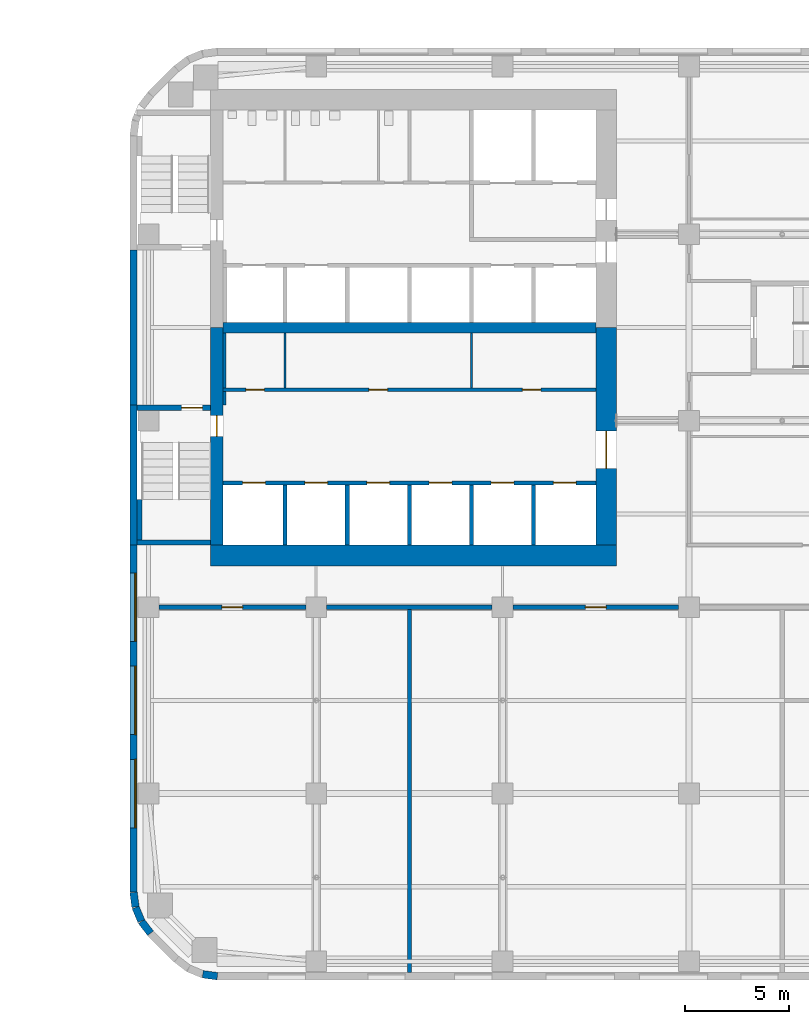
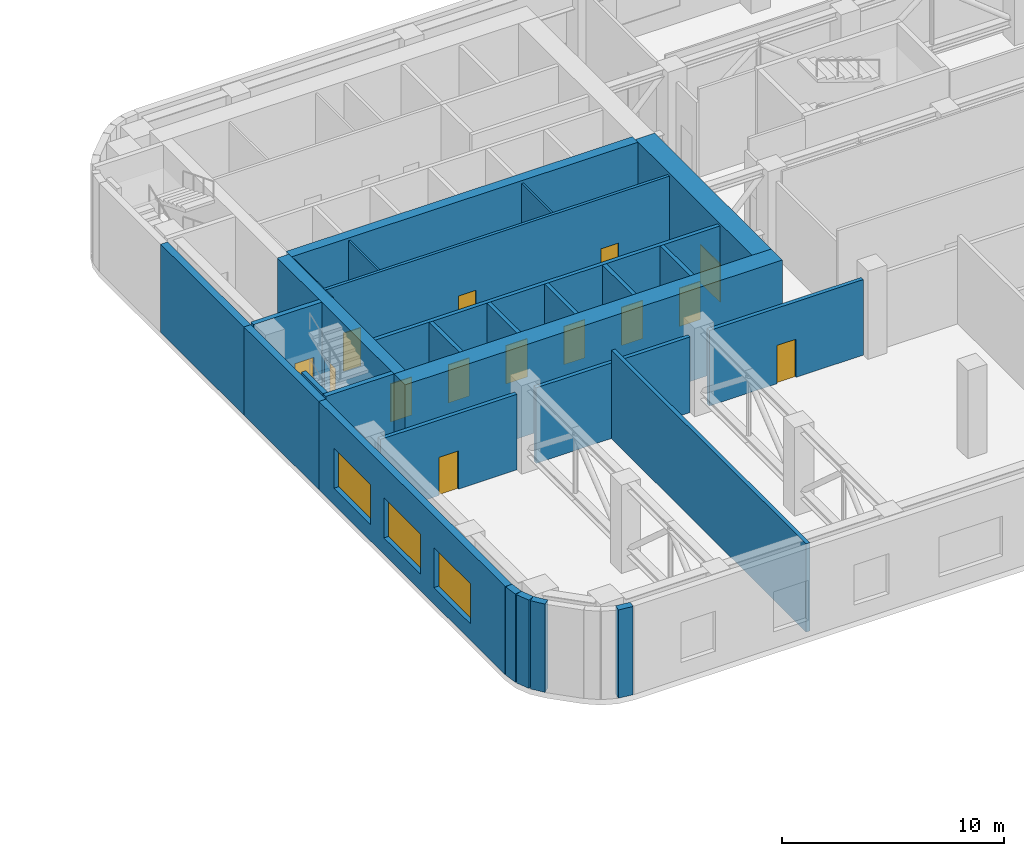
# One storey, part 15 of 23: 29 walls, 14 doors, 3 windows, 17 openings.
"""IFC4 building model written with IfcOpenShell, lengths in metres."""

from ifc_helpers import new_model, si_unit, direction, frame, frame_2d, origin, place, context, subcontext, project, spatial, rectangle, extrude, material, layer, layer_set, type_object, element, fill, save


model = new_model("IFC4")

# Units and contexts
model_context = context("Model", 3, precision=1e-05, world=origin(), true_north=direction((0.0, 1.0)))
body_context = subcontext(model_context, "Body", "Model", "MODEL_VIEW")
ifc_project = project(units=[si_unit("LENGTHUNIT", "METRE"), si_unit("AREAUNIT", "SQUARE_METRE"), si_unit("VOLUMEUNIT", "CUBIC_METRE"), si_unit("PLANEANGLEUNIT", "RADIAN"), si_unit("MASSUNIT", "GRAM", prefix="KILO")], contexts=[model_context])

# Site, building, storey
site_placement = place(None, origin())
site = spatial("IfcSite", under=ifc_project, at=site_placement, CompositionType="ELEMENT")
building_placement = place(site_placement, origin())
building = spatial("IfcBuilding", under=site, at=building_placement, Name="Cinnabar Reach Civic Tower", CompositionType="ELEMENT")
storey_placement = place(building_placement, frame((0.0, 0.0, 46.0)))
storey = spatial("IfcBuildingStorey", under=building, at=storey_placement, Name="L10", CompositionType="ELEMENT", Elevation=46.0)

# Walls
ifc_material_1 = material(Name="Facing brick with insulated backing", Category="masonry")
ifc_layer_1 = layer(ifc_material_1, 0.36)
ifc_layer_set_1 = layer_set([ifc_layer_1], Name="Brick corner wall")
wall_type_1 = type_object("IfcWallType", Name="Brick corner wall", PredefinedType="STANDARD", material=ifc_layer_set_1)
for number, where, z_axis, x_axis, name in (
    (1, (0.183, 4.2314, 0.0), (0.0, 0.0, 1.0), (0.13055608231, -0.99144092581, 0.0), "Brick corner wall"),
    (2, (0.2819, 3.5027, 0.0), (0.0, 0.0, 1.0), (0.382702709855, -0.923871547278, 0.0), "Brick corner wall"),
):
    element("IfcWall", number, at=place(storey_placement, frame(where, z_axis=z_axis, x_axis=x_axis)), inside=storey, type_object=wall_type_1, Name=name, PredefinedType="STANDARD", context=body_context, shape_type="SweptSolid", body=[
        extrude(rectangle(XDim=0.7131, YDim=0.36, at=frame_2d((0.3565, 0.0))), origin(), (0.0, 0.0, 1.0), 4.85),
    ])
wall_1_placement = place(storey_placement, frame((0.566, 2.8245, 0.0), z_axis=(0.0, 0.0, 1.0), x_axis=(0.608802368033, -0.793321924995, 0.0)))
element("IfcWall", 3, at=wall_1_placement, inside=storey, type_object=wall_type_1, Name="Brick corner wall", PredefinedType="STANDARD", context=body_context, shape_type="SweptSolid", body=[
    extrude(rectangle(XDim=0.7132, YDim=0.36, at=frame_2d((0.3566, 0.0))), origin(), (0.0, 0.0, 1.0), 4.85),
])
wall_2_placement = place(storey_placement, frame((3.5244, 0.2761, 0.0), z_axis=(0.0, 0.0, 1.0), x_axis=(0.99144092581, -0.13055608231, 0.0)))
element("IfcWall", 4, at=wall_2_placement, inside=storey, type_object=wall_type_1, Name="Brick corner wall", PredefinedType="STANDARD", context=body_context, shape_type="SweptSolid", body=[
    extrude(rectangle(XDim=0.7131, YDim=0.36, at=frame_2d((0.3565, 0.0))), origin(), (0.0, 0.0, 1.0), 4.85),
])
ifc_layer_2 = layer(ifc_material_1, 0.36)
ifc_layer_set_2 = layer_set([ifc_layer_2], Name="Brick pier and spandrel wall")
wall_type_2 = type_object("IfcWallType", Name="Brick pier and spandrel wall", PredefinedType="STANDARD", material=ifc_layer_set_2)
wall_3_placement = place(storey_placement, frame((0.18, 35.25, 0.0), z_axis=(0.0, 0.0, 1.0), x_axis=(0.0, -1.0, 0.0)))
element("IfcWall", 5, at=wall_3_placement, inside=storey, type_object=wall_type_2, Name="Brick facade wall", PredefinedType="STANDARD", context=body_context, shape_type="SweptSolid", body=[
    extrude(rectangle(XDim=7.5, YDim=0.36, at=frame_2d((3.75, 0.0))), origin(), (0.0, 0.0, 1.0), 4.85),
])
wall_4_placement = place(storey_placement, frame((0.18, 27.75, 0.0), z_axis=(0.0, 0.0, 1.0), x_axis=(0.0, -1.0, 0.0)))
element("IfcWall", 6, at=wall_4_placement, inside=storey, type_object=wall_type_2, Name="Brick facade wall", PredefinedType="STANDARD", context=body_context, shape_type="SweptSolid", body=[
    extrude(rectangle(XDim=6.75, YDim=0.36, at=frame_2d((3.375, 0.0))), origin(), (0.0, 0.0, 1.0), 4.85),
])

# Wall, openings, windows
wall_5_placement = place(storey_placement, frame((0.18, 21.0, 0.0), z_axis=(0.0, 0.0, 1.0), x_axis=(0.0, -1.0, 0.0)))
wall_5 = element("IfcWall", 7, at=wall_5_placement, inside=storey, type_object=wall_type_2, Name="Brick facade wall", PredefinedType="STANDARD", context=body_context, shape_type="SweptSolid", body=[
    extrude(rectangle(XDim=16.7574, YDim=0.36, at=frame_2d((8.3787, 0.0))), origin(), (0.0, 0.0, 1.0), 4.85),
])
opening_1_placement = place(wall_5_placement, frame((1.35, 0.0, 0.9)))
opening_1 = element("IfcOpeningElement", 8, at=opening_1_placement, cuts=wall_5, Name="Opening W1156", PredefinedType="OPENING", context=body_context, shape_type="SweptSolid", body=[
    extrude(rectangle(XDim=3.3, YDim=2.2, at=frame_2d((1.65, 1.1))), frame((0.0, 0.19, 0.0), z_axis=(0.0, -1.0, 0.0), x_axis=(1.0, 0.0, 0.0)), (0.0, 0.0, 1.0), 0.38),
])
opening_2_placement = place(wall_5_placement, frame((5.85, 0.0, 0.9)))
opening_2 = element("IfcOpeningElement", 9, at=opening_2_placement, cuts=wall_5, Name="Opening W1157", PredefinedType="OPENING", context=body_context, shape_type="SweptSolid", body=[
    extrude(rectangle(XDim=3.3, YDim=2.2, at=frame_2d((1.65, 1.1))), frame((0.0, 0.19, 0.0), z_axis=(0.0, -1.0, 0.0), x_axis=(1.0, 0.0, 0.0)), (0.0, 0.0, 1.0), 0.38),
])
opening_3_placement = place(wall_5_placement, frame((10.35, 0.0, 0.9)))
opening_3 = element("IfcOpeningElement", 10, at=opening_3_placement, cuts=wall_5, Name="Opening W1158", PredefinedType="OPENING", context=body_context, shape_type="SweptSolid", body=[
    extrude(rectangle(XDim=3.3, YDim=2.2, at=frame_2d((1.65, 1.1))), frame((0.0, 0.19, 0.0), z_axis=(0.0, -1.0, 0.0), x_axis=(1.0, 0.0, 0.0)), (0.0, 0.0, 1.0), 0.38),
])
ifc_material_2 = material(Name="Clear double glazing in aluminium frame", Category="aluminium")
window_type = type_object("IfcWindowType", Name="Deep-set window B", PartitioningType="SINGLE_PANEL", PredefinedType="WINDOW", material=ifc_material_2)
window_1_placement = place(opening_1_placement, origin())
window_1 = element("IfcWindow", 11, at=window_1_placement, inside=storey, type_object=window_type, Name="Window west face", OverallHeight=2.2, OverallWidth=3.3, PartitioningType="SINGLE_PANEL", PredefinedType="WINDOW", context=body_context, shape_type="SweptSolid", body=[
    extrude(rectangle(XDim=3.3, YDim=2.2, at=frame_2d((1.65, 1.1))), frame((0.0, 0.13, 0.0), z_axis=(0.0, -1.0, 0.0), x_axis=(1.0, 0.0, 0.0)), (0.0, 0.0, 1.0), 0.06),
])
fill(opening_1, window_1)
window_2_placement = place(opening_2_placement, origin())
window_2 = element("IfcWindow", 12, at=window_2_placement, inside=storey, type_object=window_type, Name="Window west face", OverallHeight=2.2, OverallWidth=3.3, PartitioningType="SINGLE_PANEL", PredefinedType="WINDOW", context=body_context, shape_type="SweptSolid", body=[
    extrude(rectangle(XDim=3.3, YDim=2.2, at=frame_2d((1.65, 1.1))), frame((0.0, 0.13, 0.0), z_axis=(0.0, -1.0, 0.0), x_axis=(1.0, 0.0, 0.0)), (0.0, 0.0, 1.0), 0.06),
])
fill(opening_2, window_2)
window_3_placement = place(opening_3_placement, origin())
window_3 = element("IfcWindow", 13, at=window_3_placement, inside=storey, type_object=window_type, Name="Window west face", OverallHeight=2.2, OverallWidth=3.3, PartitioningType="SINGLE_PANEL", PredefinedType="WINDOW", context=body_context, shape_type="SweptSolid", body=[
    extrude(rectangle(XDim=3.3, YDim=2.2, at=frame_2d((1.65, 1.1))), frame((0.0, 0.13, 0.0), z_axis=(0.0, -1.0, 0.0), x_axis=(1.0, 0.0, 0.0)), (0.0, 0.0, 1.0), 0.06),
])
fill(opening_3, window_3)

# Wall
ifc_material_3 = material(Name="Concrete C70", Category="concrete")
ifc_layer_3 = layer(ifc_material_3, 1.0)
ifc_layer_set_3 = layer_set([ifc_layer_3], Name="Core wall 1000 EI 180")
wall_type_3 = type_object("IfcWallType", Name="Core wall 1000 EI 180", PredefinedType="SOLIDWALL", material=ifc_layer_set_3)
wall_6_placement = place(storey_placement, frame((3.9, 20.5, 0.0), z_axis=(0.0, 0.0, 1.0), x_axis=(1.0, 0.0, 0.0)))
element("IfcWall", 14, at=wall_6_placement, inside=storey, type_object=wall_type_3, Name="Core wall T1 L10 S", PredefinedType="SOLIDWALL", context=body_context, shape_type="SweptSolid", body=[
    extrude(rectangle(XDim=19.6, YDim=1.0, at=frame_2d((9.8, 0.0))), origin(), (0.0, 0.0, 1.0), 5.0),
])

# Wall, opening, door
wall_7_placement = place(storey_placement, frame((23.0, 21.0, 0.0), z_axis=(0.0, 0.0, 1.0), x_axis=(0.0, 1.0, 0.0)))
wall_7 = element("IfcWall", 15, at=wall_7_placement, inside=storey, type_object=wall_type_3, Name="Core wall T1 L10 E", PredefinedType="SOLIDWALL", context=body_context, shape_type="SweptSolid", body=[
    extrude(rectangle(XDim=10.5, YDim=1.0, at=frame_2d((5.25, 0.0))), origin(), (0.0, 0.0, 1.0), 5.0),
])
opening_4_placement = place(wall_7_placement, frame((3.7, 0.0, 0.0)))
opening_4 = element("IfcOpeningElement", 16, at=opening_4_placement, cuts=wall_7, Name="Opening D3409", PredefinedType="OPENING", context=body_context, shape_type="SweptSolid", body=[
    extrude(rectangle(XDim=1.8, YDim=2.1, at=frame_2d((0.9, 1.05))), frame((0.0, 0.51, 0.0), z_axis=(0.0, -1.0, 0.0), x_axis=(1.0, 0.0, 0.0)), (0.0, 0.0, 1.0), 1.02),
])
ifc_material_4 = material(Name="Timber door leaf in steel frame", Category="steel")
door_type_1 = type_object("IfcDoorType", Name="Double swing door 1800 x 2100 T1", OperationType="DOUBLE_DOOR_DOUBLE_SWING", PredefinedType="DOOR", material=ifc_material_4)
door_1_placement = place(opening_4_placement, origin())
door_1 = element("IfcDoor", 17, at=door_1_placement, inside=storey, type_object=door_type_1, Name="Door D3409", OperationType="DOUBLE_DOOR_DOUBLE_SWING", OverallHeight=2.1, OverallWidth=1.8, PredefinedType="DOOR", context=body_context, shape_type="SweptSolid", body=[
    extrude(rectangle(XDim=1.8, YDim=2.1, at=frame_2d((0.9, 1.05))), frame((0.0, 0.025, 0.0), z_axis=(0.0, -1.0, 0.0), x_axis=(1.0, 0.0, 0.0)), (0.0, 0.0, 1.0), 0.05),
])
fill(opening_4, door_1)

# Wall
ifc_material_5 = material(Name="Concrete C60", Category="concrete")
ifc_layer_4 = layer(ifc_material_5, 0.5)
ifc_layer_set_4 = layer_set([ifc_layer_4], Name="Core wall 500 EI 180")
wall_type_4 = type_object("IfcWallType", Name="Core wall 500 EI 180", PredefinedType="SOLIDWALL", material=ifc_layer_set_4)
wall_8_placement = place(storey_placement, frame((4.5, 31.5, 0.0), z_axis=(0.0, 0.0, 1.0), x_axis=(1.0, 0.0, 0.0)))
element("IfcWall", 18, at=wall_8_placement, inside=storey, type_object=wall_type_4, Name="Core spine wall T1 L10", PredefinedType="SOLIDWALL", context=body_context, shape_type="SweptSolid", body=[
    extrude(rectangle(XDim=18.0, YDim=0.5, at=frame_2d((9.0, 0.0))), origin(), (0.0, 0.0, 1.0), 5.0),
])

# Wall, opening, door
ifc_layer_5 = layer(ifc_material_3, 0.6)
ifc_layer_set_5 = layer_set([ifc_layer_5], Name="Core wall 600 EI 180")
wall_type_5 = type_object("IfcWallType", Name="Core wall 600 EI 180", PredefinedType="SOLIDWALL", material=ifc_layer_set_5)
wall_9_placement = place(storey_placement, frame((4.2, 31.5, 0.0), z_axis=(0.0, 0.0, 1.0), x_axis=(0.0, -1.0, 0.0)))
wall_9 = element("IfcWall", 19, at=wall_9_placement, inside=storey, type_object=wall_type_5, Name="Core wall T1 L10 W2", PredefinedType="SOLIDWALL", context=body_context, shape_type="SweptSolid", body=[
    extrude(rectangle(XDim=10.5, YDim=0.6, at=frame_2d((5.25, 0.0))), origin(), (0.0, 0.0, 1.0), 5.0),
])
opening_5_placement = place(wall_9_placement, frame((4.25, 0.0, 0.0)))
opening_5 = element("IfcOpeningElement", 20, at=opening_5_placement, cuts=wall_9, Name="Opening D3393", PredefinedType="OPENING", context=body_context, shape_type="SweptSolid", body=[
    extrude(rectangle(XDim=1.0, YDim=2.1, at=frame_2d((0.5, 1.05))), frame((0.0, 0.31, 0.0), z_axis=(0.0, -1.0, 0.0), x_axis=(1.0, 0.0, 0.0)), (0.0, 0.0, 1.0), 0.62),
])
door_type_2 = type_object("IfcDoorType", Name="Stair door 1000 x 2100 T1", OperationType="SINGLE_SWING_LEFT", PredefinedType="DOOR", material=ifc_material_4)
door_2_placement = place(opening_5_placement, frame((1.0, 0.0, 0.0), z_axis=(0.0, 0.0, 1.0), x_axis=(-1.0, 0.0, 0.0)))
door_2 = element("IfcDoor", 21, at=door_2_placement, inside=storey, type_object=door_type_2, Name="Door D3393", OperationType="SINGLE_SWING_RIGHT", OverallHeight=2.1, OverallWidth=1.0, PredefinedType="DOOR", context=body_context, shape_type="SweptSolid", body=[
    extrude(rectangle(XDim=1.0, YDim=2.1, at=frame_2d((0.5, 1.05))), frame((0.0, 0.025, 0.0), z_axis=(0.0, -1.0, 0.0), x_axis=(1.0, 0.0, 0.0)), (0.0, 0.0, 1.0), 0.05),
])
fill(opening_5, door_2)

# Wall, openings, doors
ifc_material_6 = material(Name="Gypsum board on steel studs, double layer", Category="steel")
ifc_layer_6 = layer(ifc_material_6, 0.15)
ifc_layer_set_6 = layer_set([ifc_layer_6], Name="Corridor wall 150 T1")
wall_type_6 = type_object("IfcWallType", Name="Corridor wall 150 T1", PredefinedType="PARTITIONING", material=ifc_layer_set_6)
wall_10_placement = place(storey_placement, frame((4.5, 28.5, 0.0), z_axis=(0.0, 0.0, 1.0), x_axis=(1.0, 0.0, 0.0)))
wall_10 = element("IfcWall", 22, at=wall_10_placement, inside=storey, type_object=wall_type_6, Name="Corridor wall 33", PredefinedType="PARTITIONING", context=body_context, shape_type="SweptSolid", body=[
    extrude(rectangle(XDim=18.0, YDim=0.15, at=frame_2d((9.0, 0.0))), origin(), (0.0, 0.0, 1.0), 4.85),
])
opening_6_placement = place(wall_10_placement, frame((1.1, 0.0, 0.0)))
opening_6 = element("IfcOpeningElement", 23, at=opening_6_placement, cuts=wall_10, Name="Opening D3413", PredefinedType="OPENING", context=body_context, shape_type="SweptSolid", body=[
    extrude(rectangle(XDim=0.9, YDim=2.1, at=frame_2d((0.45, 1.05))), frame((0.0, 0.085, 0.0), z_axis=(0.0, -1.0, 0.0), x_axis=(1.0, 0.0, 0.0)), (0.0, 0.0, 1.0), 0.17),
])
opening_7_placement = place(wall_10_placement, frame((7.05, 0.0, 0.0)))
opening_7 = element("IfcOpeningElement", 24, at=opening_7_placement, cuts=wall_10, Name="Opening D3414", PredefinedType="OPENING", context=body_context, shape_type="SweptSolid", body=[
    extrude(rectangle(XDim=0.9, YDim=2.1, at=frame_2d((0.45, 1.05))), frame((0.0, 0.085, 0.0), z_axis=(0.0, -1.0, 0.0), x_axis=(1.0, 0.0, 0.0)), (0.0, 0.0, 1.0), 0.17),
])
opening_8_placement = place(wall_10_placement, frame((14.45, 0.0, 0.0)))
opening_8 = element("IfcOpeningElement", 25, at=opening_8_placement, cuts=wall_10, Name="Opening D3415", PredefinedType="OPENING", context=body_context, shape_type="SweptSolid", body=[
    extrude(rectangle(XDim=0.9, YDim=2.1, at=frame_2d((0.45, 1.05))), frame((0.0, 0.085, 0.0), z_axis=(0.0, -1.0, 0.0), x_axis=(1.0, 0.0, 0.0)), (0.0, 0.0, 1.0), 0.17),
])
door_type_3 = type_object("IfcDoorType", Name="Single swing door 900 x 2100 corridor T1", OperationType="SINGLE_SWING_LEFT", PredefinedType="DOOR", material=ifc_material_4)
door_3_placement = place(opening_6_placement, origin())
door_3 = element("IfcDoor", 26, at=door_3_placement, inside=storey, type_object=door_type_3, Name="Door D3413", OperationType="SINGLE_SWING_RIGHT", OverallHeight=2.1, OverallWidth=0.9, PredefinedType="DOOR", context=body_context, shape_type="SweptSolid", body=[
    extrude(rectangle(XDim=0.9, YDim=2.1, at=frame_2d((0.45, 1.05))), frame((0.0, 0.025, 0.0), z_axis=(0.0, -1.0, 0.0), x_axis=(1.0, 0.0, 0.0)), (0.0, 0.0, 1.0), 0.05),
])
fill(opening_6, door_3)
door_4_placement = place(opening_7_placement, origin())
door_4 = element("IfcDoor", 27, at=door_4_placement, inside=storey, type_object=door_type_3, Name="Door D3414", OperationType="SINGLE_SWING_RIGHT", OverallHeight=2.1, OverallWidth=0.9, PredefinedType="DOOR", context=body_context, shape_type="SweptSolid", body=[
    extrude(rectangle(XDim=0.9, YDim=2.1, at=frame_2d((0.45, 1.05))), frame((0.0, 0.025, 0.0), z_axis=(0.0, -1.0, 0.0), x_axis=(1.0, 0.0, 0.0)), (0.0, 0.0, 1.0), 0.05),
])
fill(opening_7, door_4)
door_5_placement = place(opening_8_placement, origin())
door_5 = element("IfcDoor", 28, at=door_5_placement, inside=storey, type_object=door_type_3, Name="Door D3415", OperationType="SINGLE_SWING_RIGHT", OverallHeight=2.1, OverallWidth=0.9, PredefinedType="DOOR", context=body_context, shape_type="SweptSolid", body=[
    extrude(rectangle(XDim=0.9, YDim=2.1, at=frame_2d((0.45, 1.05))), frame((0.0, 0.025, 0.0), z_axis=(0.0, -1.0, 0.0), x_axis=(1.0, 0.0, 0.0)), (0.0, 0.0, 1.0), 0.05),
])
fill(opening_8, door_5)

# Walls
wall_11_placement = place(storey_placement, frame((4.575, 27.75, 0.0), z_axis=(0.0, 0.0, 1.0), x_axis=(0.0, 1.0, 0.0)))
element("IfcWall", 29, at=wall_11_placement, inside=storey, type_object=wall_type_6, Name="Corridor wall 39", PredefinedType="PARTITIONING", context=body_context, shape_type="SweptSolid", body=[
    extrude(rectangle(XDim=0.675, YDim=0.15, at=frame_2d((0.3375, 0.0))), origin(), (0.0, 0.0, 1.0), 4.85),
])
wall_12_placement = place(storey_placement, frame((4.575, 28.575, 0.0), z_axis=(0.0, 0.0, 1.0), x_axis=(0.0, 1.0, 0.0)))
element("IfcWall", 30, at=wall_12_placement, inside=storey, type_object=wall_type_6, Name="Corridor wall 40", PredefinedType="PARTITIONING", context=body_context, shape_type="SweptSolid", body=[
    extrude(rectangle(XDim=2.675, YDim=0.15, at=frame_2d((1.3375, 0.0))), origin(), (0.0, 0.0, 1.0), 4.85),
])

# Wall, openings, doors
ifc_material_7 = material(Name="Blockwork", Category="masonry")
ifc_layer_7 = layer(ifc_material_7, 0.2)
ifc_layer_set_7 = layer_set([ifc_layer_7], Name="Lift shaft wall 200 T1")
wall_type_7 = type_object("IfcWallType", Name="Lift shaft wall 200 T1", PredefinedType="PARTITIONING", material=ifc_layer_set_7)
wall_13_placement = place(storey_placement, frame((4.5, 24.0, 0.0), z_axis=(0.0, 0.0, 1.0), x_axis=(1.0, 0.0, 0.0)))
wall_13 = element("IfcWall", 31, at=wall_13_placement, inside=storey, type_object=wall_type_7, Name="Lift shaft wall 17", PredefinedType="PARTITIONING", context=body_context, shape_type="SweptSolid", body=[
    extrude(rectangle(XDim=18.0, YDim=0.2, at=frame_2d((9.0, 0.0))), origin(), (0.0, 0.0, 1.0), 4.85),
])
opening_9_placement = place(wall_13_placement, frame((0.95, 0.0, 0.0)))
opening_9 = element("IfcOpeningElement", 32, at=opening_9_placement, cuts=wall_13, Name="Opening D3397", PredefinedType="OPENING", context=body_context, shape_type="SweptSolid", body=[
    extrude(rectangle(XDim=1.1, YDim=2.1, at=frame_2d((0.55, 1.05))), frame((0.0, 0.11, 0.0), z_axis=(0.0, -1.0, 0.0), x_axis=(1.0, 0.0, 0.0)), (0.0, 0.0, 1.0), 0.22),
])
opening_10_placement = place(wall_13_placement, frame((3.95, 0.0, 0.0)))
opening_10 = element("IfcOpeningElement", 33, at=opening_10_placement, cuts=wall_13, Name="Opening D3398", PredefinedType="OPENING", context=body_context, shape_type="SweptSolid", body=[
    extrude(rectangle(XDim=1.1, YDim=2.1, at=frame_2d((0.55, 1.05))), frame((0.0, 0.11, 0.0), z_axis=(0.0, -1.0, 0.0), x_axis=(1.0, 0.0, 0.0)), (0.0, 0.0, 1.0), 0.22),
])
opening_11_placement = place(wall_13_placement, frame((6.95, 0.0, 0.0)))
opening_11 = element("IfcOpeningElement", 34, at=opening_11_placement, cuts=wall_13, Name="Opening D3399", PredefinedType="OPENING", context=body_context, shape_type="SweptSolid", body=[
    extrude(rectangle(XDim=1.1, YDim=2.1, at=frame_2d((0.55, 1.05))), frame((0.0, 0.11, 0.0), z_axis=(0.0, -1.0, 0.0), x_axis=(1.0, 0.0, 0.0)), (0.0, 0.0, 1.0), 0.22),
])
opening_12_placement = place(wall_13_placement, frame((9.95, 0.0, 0.0)))
opening_12 = element("IfcOpeningElement", 35, at=opening_12_placement, cuts=wall_13, Name="Opening D3400", PredefinedType="OPENING", context=body_context, shape_type="SweptSolid", body=[
    extrude(rectangle(XDim=1.1, YDim=2.1, at=frame_2d((0.55, 1.05))), frame((0.0, 0.11, 0.0), z_axis=(0.0, -1.0, 0.0), x_axis=(1.0, 0.0, 0.0)), (0.0, 0.0, 1.0), 0.22),
])
opening_13_placement = place(wall_13_placement, frame((12.95, 0.0, 0.0)))
opening_13 = element("IfcOpeningElement", 36, at=opening_13_placement, cuts=wall_13, Name="Opening D3401", PredefinedType="OPENING", context=body_context, shape_type="SweptSolid", body=[
    extrude(rectangle(XDim=1.1, YDim=2.1, at=frame_2d((0.55, 1.05))), frame((0.0, 0.11, 0.0), z_axis=(0.0, -1.0, 0.0), x_axis=(1.0, 0.0, 0.0)), (0.0, 0.0, 1.0), 0.22),
])
opening_14_placement = place(wall_13_placement, frame((15.95, 0.0, 0.0)))
opening_14 = element("IfcOpeningElement", 37, at=opening_14_placement, cuts=wall_13, Name="Opening D3402", PredefinedType="OPENING", context=body_context, shape_type="SweptSolid", body=[
    extrude(rectangle(XDim=1.1, YDim=2.1, at=frame_2d((0.55, 1.05))), frame((0.0, 0.11, 0.0), z_axis=(0.0, -1.0, 0.0), x_axis=(1.0, 0.0, 0.0)), (0.0, 0.0, 1.0), 0.22),
])
ifc_material_8 = material(Name="Stainless steel sliding door", Category="steel")
door_type_4 = type_object("IfcDoorType", Name="Lift landing door 1100 x 2100 T1", OperationType="SLIDING_TO_LEFT", PredefinedType="DOOR", material=ifc_material_8)
door_6_placement = place(opening_9_placement, origin())
door_6 = element("IfcDoor", 38, at=door_6_placement, inside=storey, type_object=door_type_4, Name="Lift landing door LR1 L10", OperationType="SLIDING_TO_LEFT", OverallHeight=2.1, OverallWidth=1.1, PredefinedType="DOOR", context=body_context, shape_type="SweptSolid", body=[
    extrude(rectangle(XDim=1.1, YDim=2.1, at=frame_2d((0.55, 1.05))), frame((0.0, 0.025, 0.0), z_axis=(0.0, -1.0, 0.0), x_axis=(1.0, 0.0, 0.0)), (0.0, 0.0, 1.0), 0.05),
])
fill(opening_9, door_6)
door_7_placement = place(opening_10_placement, origin())
door_7 = element("IfcDoor", 39, at=door_7_placement, inside=storey, type_object=door_type_4, Name="Lift landing door LR2 L10", OperationType="SLIDING_TO_LEFT", OverallHeight=2.1, OverallWidth=1.1, PredefinedType="DOOR", context=body_context, shape_type="SweptSolid", body=[
    extrude(rectangle(XDim=1.1, YDim=2.1, at=frame_2d((0.55, 1.05))), frame((0.0, 0.025, 0.0), z_axis=(0.0, -1.0, 0.0), x_axis=(1.0, 0.0, 0.0)), (0.0, 0.0, 1.0), 0.05),
])
fill(opening_10, door_7)
door_8_placement = place(opening_11_placement, origin())
door_8 = element("IfcDoor", 40, at=door_8_placement, inside=storey, type_object=door_type_4, Name="Lift landing door LR3 L10", OperationType="SLIDING_TO_LEFT", OverallHeight=2.1, OverallWidth=1.1, PredefinedType="DOOR", context=body_context, shape_type="SweptSolid", body=[
    extrude(rectangle(XDim=1.1, YDim=2.1, at=frame_2d((0.55, 1.05))), frame((0.0, 0.025, 0.0), z_axis=(0.0, -1.0, 0.0), x_axis=(1.0, 0.0, 0.0)), (0.0, 0.0, 1.0), 0.05),
])
fill(opening_11, door_8)
door_9_placement = place(opening_12_placement, origin())
door_9 = element("IfcDoor", 41, at=door_9_placement, inside=storey, type_object=door_type_4, Name="Lift landing door LR4 L10", OperationType="SLIDING_TO_LEFT", OverallHeight=2.1, OverallWidth=1.1, PredefinedType="DOOR", context=body_context, shape_type="SweptSolid", body=[
    extrude(rectangle(XDim=1.1, YDim=2.1, at=frame_2d((0.55, 1.05))), frame((0.0, 0.025, 0.0), z_axis=(0.0, -1.0, 0.0), x_axis=(1.0, 0.0, 0.0)), (0.0, 0.0, 1.0), 0.05),
])
fill(opening_12, door_9)
door_10_placement = place(opening_13_placement, origin())
door_10 = element("IfcDoor", 42, at=door_10_placement, inside=storey, type_object=door_type_4, Name="Lift landing door LR5 L10", OperationType="SLIDING_TO_LEFT", OverallHeight=2.1, OverallWidth=1.1, PredefinedType="DOOR", context=body_context, shape_type="SweptSolid", body=[
    extrude(rectangle(XDim=1.1, YDim=2.1, at=frame_2d((0.55, 1.05))), frame((0.0, 0.025, 0.0), z_axis=(0.0, -1.0, 0.0), x_axis=(1.0, 0.0, 0.0)), (0.0, 0.0, 1.0), 0.05),
])
fill(opening_13, door_10)
door_11_placement = place(opening_14_placement, origin())
door_11 = element("IfcDoor", 43, at=door_11_placement, inside=storey, type_object=door_type_4, Name="Lift landing door LR6 L10", OperationType="SLIDING_TO_LEFT", OverallHeight=2.1, OverallWidth=1.1, PredefinedType="DOOR", context=body_context, shape_type="SweptSolid", body=[
    extrude(rectangle(XDim=1.1, YDim=2.1, at=frame_2d((0.55, 1.05))), frame((0.0, 0.025, 0.0), z_axis=(0.0, -1.0, 0.0), x_axis=(1.0, 0.0, 0.0)), (0.0, 0.0, 1.0), 0.05),
])
fill(opening_14, door_11)

# Walls
for number, where, z_axis, x_axis, name in (
    (44, (7.5, 21.0, 0.0), (0.0, 0.0, 1.0), (0.0, 1.0, 0.0), "Lift shaft wall 22"),
    (45, (10.5, 21.0, 0.0), (0.0, 0.0, 1.0), (0.0, 1.0, 0.0), "Lift shaft wall 24"),
    (46, (13.5, 21.0, 0.0), (0.0, 0.0, 1.0), (0.0, 1.0, 0.0), "Lift shaft wall 26"),
    (47, (16.5, 21.0, 0.0), (0.0, 0.0, 1.0), (0.0, 1.0, 0.0), "Lift shaft wall 28"),
    (48, (19.5, 21.0, 0.0), (0.0, 0.0, 1.0), (0.0, 1.0, 0.0), "Lift shaft wall 30"),
):
    element("IfcWall", number, at=place(storey_placement, frame(where, z_axis=z_axis, x_axis=x_axis)), inside=storey, type_object=wall_type_7, Name=name, PredefinedType="PARTITIONING", context=body_context, shape_type="SweptSolid", body=[
        extrude(rectangle(XDim=2.9, YDim=0.2, at=frame_2d((1.45, 0.0))), origin(), (0.0, 0.0, 1.0), 4.85),
    ])
ifc_material_9 = material(Name="Gypsum board on steel studs", Category="steel")
ifc_layer_8 = layer(ifc_material_9, 0.1)
ifc_layer_set_8 = layer_set([ifc_layer_8], Name="Partition wall 100 T1")
wall_type_8 = type_object("IfcWallType", Name="Partition wall 100 T1", PredefinedType="PARTITIONING", material=ifc_layer_set_8)
for number, where, z_axis, x_axis, name in (
    (49, (7.5, 28.575, 0.0), (0.0, 0.0, 1.0), (0.0, 1.0, 0.0), "Partition wall 51"),
    (50, (16.5, 28.575, 0.0), (0.0, 0.0, 1.0), (0.0, 1.0, 0.0), "Partition wall 52"),
):
    element("IfcWall", number, at=place(storey_placement, frame(where, z_axis=z_axis, x_axis=x_axis)), inside=storey, type_object=wall_type_8, Name=name, PredefinedType="PARTITIONING", context=body_context, shape_type="SweptSolid", body=[
        extrude(rectangle(XDim=2.675, YDim=0.1, at=frame_2d((1.3375, 0.0))), origin(), (0.0, 0.0, 1.0), 4.85),
    ])

# Wall, opening, door
ifc_material_10 = material(Name="Concrete C40", Category="concrete")
ifc_layer_9 = layer(ifc_material_10, 0.2)
ifc_layer_set_9 = layer_set([ifc_layer_9], Name="Refuge compartment wall 200 T1")
wall_type_9 = type_object("IfcWallType", Name="Refuge compartment wall 200 T1", PredefinedType="PARTITIONING", material=ifc_layer_set_9)
wall_14_placement = place(storey_placement, frame((18.5, 18.0, 0.0), z_axis=(0.0, 0.0, 1.0), x_axis=(1.0, 0.0, 0.0)))
wall_14 = element("IfcWall", 51, at=wall_14_placement, inside=storey, type_object=wall_type_9, Name="Refuge compartment wall 5", PredefinedType="PARTITIONING", context=body_context, shape_type="SweptSolid", body=[
    extrude(rectangle(XDim=8.0, YDim=0.2, at=frame_2d((4.0, 0.0))), origin(), (0.0, 0.0, 1.0), 4.15),
])
opening_15_placement = place(wall_14_placement, frame((3.5, 0.0, 0.0)))
opening_15 = element("IfcOpeningElement", 52, at=opening_15_placement, cuts=wall_14, Name="Opening D3426", PredefinedType="OPENING", context=body_context, shape_type="SweptSolid", body=[
    extrude(rectangle(XDim=1.0, YDim=2.1, at=frame_2d((0.5, 1.05))), frame((0.0, 0.11, 0.0), z_axis=(0.0, -1.0, 0.0), x_axis=(1.0, 0.0, 0.0)), (0.0, 0.0, 1.0), 0.22),
])
door_type_5 = type_object("IfcDoorType", Name="Refuge door 1000 x 2100 T1", OperationType="SINGLE_SWING_LEFT", PredefinedType="DOOR", material=ifc_material_4)
door_12_placement = place(opening_15_placement, frame((1.0, 0.0, 0.0), z_axis=(0.0, 0.0, 1.0), x_axis=(-1.0, 0.0, 0.0)))
door_12 = element("IfcDoor", 53, at=door_12_placement, inside=storey, type_object=door_type_5, Name="Door D3426", OperationType="SINGLE_SWING_LEFT", OverallHeight=2.1, OverallWidth=1.0, PredefinedType="DOOR", context=body_context, shape_type="SweptSolid", body=[
    extrude(rectangle(XDim=1.0, YDim=2.1, at=frame_2d((0.5, 1.05))), frame((0.0, 0.025, 0.0), z_axis=(0.0, -1.0, 0.0), x_axis=(1.0, 0.0, 0.0)), (0.0, 0.0, 1.0), 0.05),
])
fill(opening_15, door_12)

# Wall
wall_15_placement = place(storey_placement, frame((9.5, 18.0, 0.0), z_axis=(0.0, 0.0, 1.0), x_axis=(1.0, 0.0, 0.0)))
element("IfcWall", 54, at=wall_15_placement, inside=storey, type_object=wall_type_9, Name="Refuge compartment wall 6", PredefinedType="PARTITIONING", context=body_context, shape_type="SweptSolid", body=[
    extrude(rectangle(XDim=8.0, YDim=0.2, at=frame_2d((4.0, 0.0))), origin(), (0.0, 0.0, 1.0), 4.15),
])

# Wall, opening, door
wall_16_placement = place(storey_placement, frame((1.4, 18.0, 0.0), z_axis=(0.0, 0.0, 1.0), x_axis=(1.0, 0.0, 0.0)))
wall_16 = element("IfcWall", 55, at=wall_16_placement, inside=storey, type_object=wall_type_9, Name="Refuge compartment wall 7", PredefinedType="PARTITIONING", context=body_context, shape_type="SweptSolid", body=[
    extrude(rectangle(XDim=7.1, YDim=0.2, at=frame_2d((3.55, 0.0))), origin(), (0.0, 0.0, 1.0), 4.15),
])
opening_16_placement = place(wall_16_placement, frame((3.05, 0.0, 0.0)))
opening_16 = element("IfcOpeningElement", 56, at=opening_16_placement, cuts=wall_16, Name="Opening D3425", PredefinedType="OPENING", context=body_context, shape_type="SweptSolid", body=[
    extrude(rectangle(XDim=1.0, YDim=2.1, at=frame_2d((0.5, 1.05))), frame((0.0, 0.11, 0.0), z_axis=(0.0, -1.0, 0.0), x_axis=(1.0, 0.0, 0.0)), (0.0, 0.0, 1.0), 0.22),
])
door_13_placement = place(opening_16_placement, frame((1.0, 0.0, 0.0), z_axis=(0.0, 0.0, 1.0), x_axis=(-1.0, 0.0, 0.0)))
door_13 = element("IfcDoor", 57, at=door_13_placement, inside=storey, type_object=door_type_5, Name="Door D3425", OperationType="SINGLE_SWING_LEFT", OverallHeight=2.1, OverallWidth=1.0, PredefinedType="DOOR", context=body_context, shape_type="SweptSolid", body=[
    extrude(rectangle(XDim=1.0, YDim=2.1, at=frame_2d((0.5, 1.05))), frame((0.0, 0.025, 0.0), z_axis=(0.0, -1.0, 0.0), x_axis=(1.0, 0.0, 0.0)), (0.0, 0.0, 1.0), 0.05),
])
fill(opening_16, door_13)

# Walls
wall_17_placement = place(storey_placement, frame((13.5, 0.36, 0.0), z_axis=(0.0, 0.0, 1.0), x_axis=(0.0, 1.0, 0.0)))
element("IfcWall", 58, at=wall_17_placement, inside=storey, type_object=wall_type_9, Name="Refuge compartment wall 8", PredefinedType="PARTITIONING", context=body_context, shape_type="SweptSolid", body=[
    extrude(rectangle(XDim=17.54, YDim=0.2, at=frame_2d((8.77, 0.0))), origin(), (0.0, 0.0, 1.0), 4.85),
])
ifc_layer_10 = layer(ifc_material_5, 0.25)
ifc_layer_set_10 = layer_set([ifc_layer_10], Name="Stair shaft wall 250 EI 120")
wall_type_10 = type_object("IfcWallType", Name="Stair shaft wall 250 EI 120", PredefinedType="SOLIDWALL", material=ifc_layer_set_10)
wall_18_placement = place(storey_placement, frame((0.36, 21.125, 0.0), z_axis=(0.0, 0.0, 1.0), x_axis=(1.0, 0.0, 0.0)))
element("IfcWall", 59, at=wall_18_placement, inside=storey, type_object=wall_type_10, Name="Stair shaft wall T1-S1 L10", PredefinedType="SOLIDWALL", context=body_context, shape_type="SweptSolid", body=[
    extrude(rectangle(XDim=3.54, YDim=0.25, at=frame_2d((1.77, 0.0))), origin(), (0.0, 0.0, 1.0), 5.0),
])

# Wall, opening, door
wall_19_placement = place(storey_placement, frame((3.9, 27.625, 0.0), z_axis=(0.0, 0.0, 1.0), x_axis=(-1.0, 0.0, 0.0)))
wall_19 = element("IfcWall", 60, at=wall_19_placement, inside=storey, type_object=wall_type_10, Name="Stair shaft wall T1-S1 L10", PredefinedType="SOLIDWALL", context=body_context, shape_type="SweptSolid", body=[
    extrude(rectangle(XDim=3.54, YDim=0.25, at=frame_2d((1.77, 0.0))), origin(), (0.0, 0.0, 1.0), 5.0),
])
opening_17_placement = place(wall_19_placement, frame((0.4, 0.0, 0.0)))
opening_17 = element("IfcOpeningElement", 61, at=opening_17_placement, cuts=wall_19, Name="Opening D3394", PredefinedType="OPENING", context=body_context, shape_type="SweptSolid", body=[
    extrude(rectangle(XDim=1.0, YDim=2.1, at=frame_2d((0.5, 1.05))), frame((0.0, 0.135, 0.0), z_axis=(0.0, -1.0, 0.0), x_axis=(1.0, 0.0, 0.0)), (0.0, 0.0, 1.0), 0.27),
])
door_14_placement = place(opening_17_placement, origin())
door_14 = element("IfcDoor", 62, at=door_14_placement, inside=storey, type_object=door_type_2, Name="Door D3394", OperationType="SINGLE_SWING_LEFT", OverallHeight=2.1, OverallWidth=1.0, PredefinedType="DOOR", context=body_context, shape_type="SweptSolid", body=[
    extrude(rectangle(XDim=1.0, YDim=2.1, at=frame_2d((0.5, 1.05))), frame((0.0, 0.025, 0.0), z_axis=(0.0, -1.0, 0.0), x_axis=(1.0, 0.0, 0.0)), (0.0, 0.0, 1.0), 0.05),
])
fill(opening_17, door_14)

# Wall
ifc_material_11 = material(Name="Concrete C40/50", Category="concrete")
ifc_layer_11 = layer(ifc_material_11, 0.24)
ifc_layer_set_11 = layer_set([ifc_layer_11], Name="T1 landing bearer wall 240")
wall_type_11 = type_object("IfcWallType", Name="T1 landing bearer wall 240", PredefinedType="STANDARD", material=ifc_layer_set_11)
wall_20_placement = place(storey_placement, frame((0.48, 21.25, 0.0), z_axis=(0.0, 0.0, 1.0), x_axis=(0.0, 1.0, 0.0)))
element("IfcWall", 63, at=wall_20_placement, inside=storey, type_object=wall_type_11, Name="T1-S1 landing bearer wall", PredefinedType="STANDARD", context=body_context, shape_type="SweptSolid", body=[
    extrude(rectangle(XDim=1.955, YDim=0.24, at=frame_2d((0.9775, 0.0))), origin(), (0.0, 0.0, 1.0), 5.0),
])

save(model, "model.ifc")
